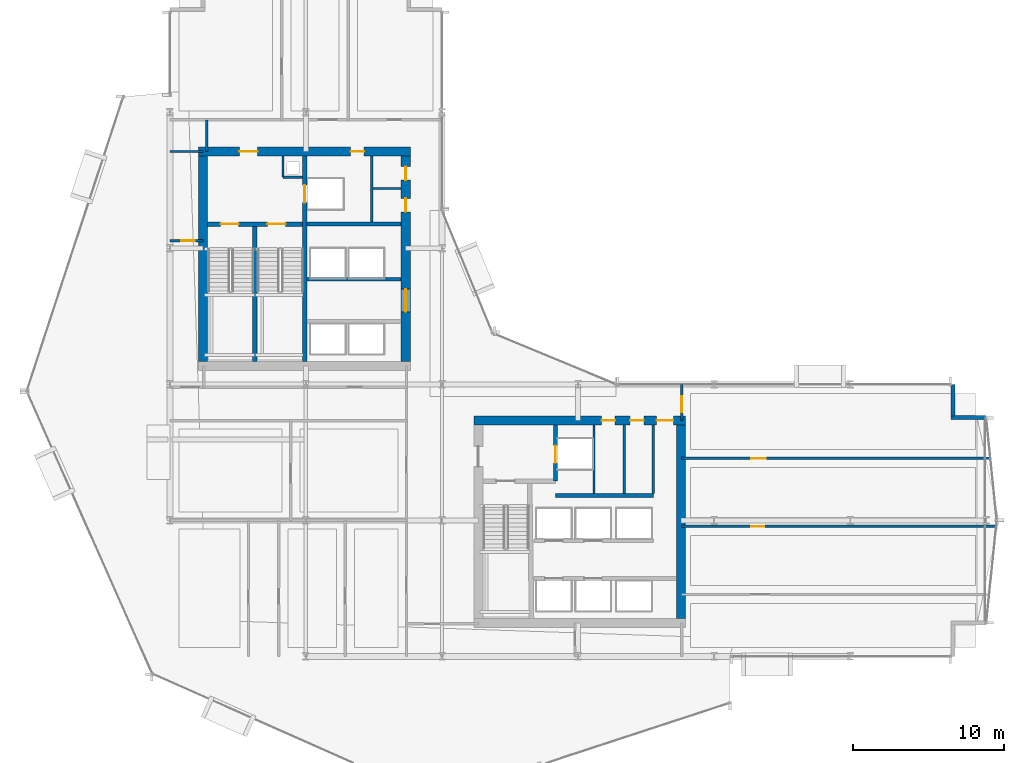
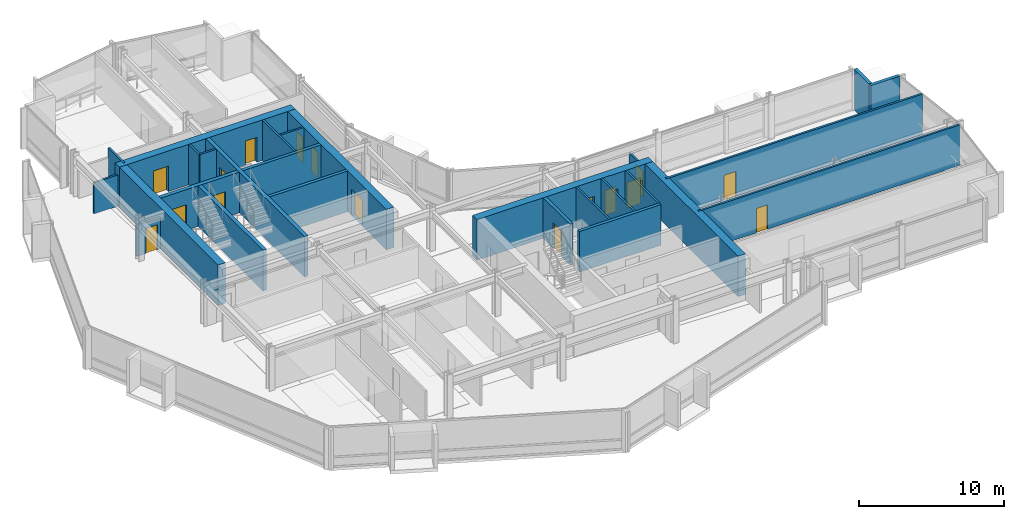
# One storey, part 28 of 34: 27 walls, 16 doors, 16 openings.
"""IFC4 building model written with IfcOpenShell, lengths in metres."""

from ifc_helpers import new_model, si_unit, direction, frame, frame_2d, origin, place, context, subcontext, project, spatial, rectangle, extrude, material, layer, layer_set, type_object, element, fill, save


model = new_model("IFC4")

# Units and contexts
model_context = context("Model", 3, precision=1e-05, world=origin(), true_north=direction((0.0, 1.0)))
body_context = subcontext(model_context, "Body", "Model", "MODEL_VIEW")
ifc_project = project(units=[si_unit("LENGTHUNIT", "METRE"), si_unit("AREAUNIT", "SQUARE_METRE"), si_unit("VOLUMEUNIT", "CUBIC_METRE"), si_unit("PLANEANGLEUNIT", "RADIAN"), si_unit("MASSUNIT", "GRAM", prefix="KILO")], contexts=[model_context])

# Site, building, storey
site_placement = place(None, origin())
site = spatial("IfcSite", under=ifc_project, at=site_placement, CompositionType="ELEMENT")
building_placement = place(site_placement, origin())
building = spatial("IfcBuilding", under=site, at=building_placement, Name="Solvaryn Broadcast Tower", CompositionType="ELEMENT")
storey_placement = place(building_placement, frame((0.0, 0.0, 50.800048828125)))
storey = spatial("IfcBuildingStorey", under=building, at=storey_placement, Name="L11", CompositionType="ELEMENT", Elevation=50.800048828125)

# Wall, openings, doors
ifc_material_1 = material(Name="Concrete f'c 70 MPa", Category="concrete")
ifc_layer_1 = layer(ifc_material_1, 0.60009765625)
ifc_layer_set_1 = layer_set([ifc_layer_1], Name="CW-SHEAR-600")
wall_type_1 = type_object("IfcWallType", Name="CW-SHEAR-600", PredefinedType="SHEAR", material=ifc_layer_set_1)
wall_1_placement = place(storey_placement, frame((24.89990234375, 42.39990234375, 0.0), z_axis=(0.0, 0.0, 1.0), x_axis=(-1.0, 0.0, 0.0)))
wall_1 = element("IfcWall", 1, at=wall_1_placement, inside=storey, type_object=wall_type_1, Name="L11 West Core North Shear Wall", PredefinedType="SHEAR", context=body_context, shape_type="SweptSolid", body=[
    extrude(rectangle(XDim=14.0, YDim=0.60009765625, at=frame_2d((7.0, 0.0))), origin(), (0.0, 0.0, 1.0), 3.419921875),
])
opening_1_placement = place(wall_1_placement, frame((10.10009765625, 0.0, 0.0)))
opening_1 = element("IfcOpeningElement", 2, at=opening_1_placement, cuts=wall_1, Name="Opening FD90A", PredefinedType="OPENING", context=body_context, shape_type="SweptSolid", body=[
    extrude(rectangle(XDim=1.199951171875, YDim=2.14990234375, at=frame_2d((0.60009765625, 1.074951171875))), frame((0.0, 0.31005859375, 0.0), z_axis=(0.0, -1.0, 0.0), x_axis=(1.0, 0.0, 0.0)), (0.0, 0.0, 1.0), 0.6201171875),
])
opening_2_placement = place(wall_1_placement, frame((3.050048828125, 0.0, 0.0)))
opening_2 = element("IfcOpeningElement", 3, at=opening_2_placement, cuts=wall_1, Name="Opening FD60C", PredefinedType="OPENING", context=body_context, shape_type="SweptSolid", body=[
    extrude(rectangle(XDim=0.89990234375, YDim=2.10009765625, at=frame_2d((0.449951171875, 1.050048828125))), frame((0.0, 0.31005859375, 0.0), z_axis=(0.0, -1.0, 0.0), x_axis=(1.0, 0.0, 0.0)), (0.0, 0.0, 1.0), 0.6201171875),
])
ifc_material_2 = material(Name="Flush Acoustic Steel and Timber Door Assembly", Category="steel")
door_type_1 = type_object("IfcDoorType", Name="FD60-SERV-900X2100", OperationType="NOTDEFINED", PredefinedType="DOOR", material=ifc_material_2)
door_1_placement = place(opening_2_placement, origin())
door_1 = element("IfcDoor", 4, at=door_1_placement, inside=storey, type_object=door_type_1, Name="L11 West Core Fiber Riser Door", OperationType="SINGLE_SWING_RIGHT", OverallHeight=2.10009765625, OverallWidth=0.89990234375, PredefinedType="DOOR", context=body_context, shape_type="SweptSolid", body=[
    extrude(rectangle(XDim=0.89990234375, YDim=2.10009765625, at=frame_2d((0.449951171875, 1.050048828125))), frame((0.0, 0.02490234375, 0.0), z_axis=(0.0, -1.0, 0.0), x_axis=(1.0, 0.0, 0.0)), (0.0, 0.0, 1.0), 0.050048828125),
])
fill(opening_2, door_1)
ifc_material_3 = material(Name="Flush Acoustic Steel and Timber Door Assembly", Category="steel")
door_type_2 = type_object("IfcDoorType", Name="FD90-STAIR-1200X2150", OperationType="NOTDEFINED", PredefinedType="DOOR", material=ifc_material_3)
door_2_placement = place(opening_1_placement, origin())
door_2 = element("IfcDoor", 5, at=door_2_placement, inside=storey, type_object=door_type_2, Name="L11 West FSAE Lobby Corridor Door", OperationType="SINGLE_SWING_LEFT", OverallHeight=2.14990234375, OverallWidth=1.199951171875, PredefinedType="DOOR", context=body_context, shape_type="SweptSolid", body=[
    extrude(rectangle(XDim=1.199951171875, YDim=2.14990234375, at=frame_2d((0.60009765625, 1.074951171875))), frame((0.0, 0.02490234375, 0.0), z_axis=(0.0, -1.0, 0.0), x_axis=(1.0, 0.0, 0.0)), (0.0, 0.0, 1.0), 0.050048828125),
])
fill(opening_1, door_2)

# Wall
wall_2_placement = place(storey_placement, frame((11.199951171875, 42.10009765625, 0.0), z_axis=(0.0, 0.0, 1.0), x_axis=(0.0, -1.0, 0.0)))
element("IfcWall", 6, at=wall_2_placement, inside=storey, type_object=wall_type_1, Name="L11 West Core West Shear Wall", PredefinedType="SHEAR", context=body_context, shape_type="SweptSolid", body=[
    extrude(rectangle(XDim=13.60009765625, YDim=0.60009765625, at=frame_2d((6.800048828125, 0.0))), origin(), (0.0, 0.0, 1.0), 3.419921875),
])

# Wall, openings, doors
wall_3_placement = place(storey_placement, frame((24.60009765625, 28.5, 0.0), z_axis=(0.0, 0.0, 1.0), x_axis=(0.0, 1.0, 0.0)))
wall_3 = element("IfcWall", 7, at=wall_3_placement, inside=storey, type_object=wall_type_1, Name="L11 West Core East Shear Wall", PredefinedType="SHEAR", context=body_context, shape_type="SweptSolid", body=[
    extrude(rectangle(XDim=13.60009765625, YDim=0.60009765625, at=frame_2d((6.800048828125, 0.0))), origin(), (0.0, 0.0, 1.0), 3.419921875),
])
opening_3_placement = place(wall_3_placement, frame((3.300048828125, 0.0, 0.0)))
opening_3 = element("IfcOpeningElement", 8, at=opening_3_placement, cuts=wall_3, Name="Opening FD60A", PredefinedType="OPENING", context=body_context, shape_type="SweptSolid", body=[
    extrude(rectangle(XDim=1.5, YDim=2.199951171875, at=frame_2d((0.75, 1.10009765625))), frame((0.0, 0.31005859375, 0.0), z_axis=(0.0, -1.0, 0.0), x_axis=(1.0, 0.0, 0.0)), (0.0, 0.0, 1.0), 0.6201171875),
])
opening_4_placement = place(wall_3_placement, frame((9.89990234375, 0.0, 0.0)))
opening_4 = element("IfcOpeningElement", 9, at=opening_4_placement, cuts=wall_3, Name="Opening FD60C", PredefinedType="OPENING", context=body_context, shape_type="SweptSolid", body=[
    extrude(rectangle(XDim=0.89990234375, YDim=2.10009765625, at=frame_2d((0.449951171875, 1.050048828125))), frame((0.0, 0.31005859375, 0.0), z_axis=(0.0, -1.0, 0.0), x_axis=(1.0, 0.0, 0.0)), (0.0, 0.0, 1.0), 0.6201171875),
])
opening_5_placement = place(wall_3_placement, frame((12.0, 0.0, 0.0)))
opening_5 = element("IfcOpeningElement", 10, at=opening_5_placement, cuts=wall_3, Name="Opening FD60C", PredefinedType="OPENING", context=body_context, shape_type="SweptSolid", body=[
    extrude(rectangle(XDim=0.89990234375, YDim=2.10009765625, at=frame_2d((0.449951171875, 1.050048828125))), frame((0.0, 0.31005859375, 0.0), z_axis=(0.0, -1.0, 0.0), x_axis=(1.0, 0.0, 0.0)), (0.0, 0.0, 1.0), 0.6201171875),
])
ifc_material_4 = material(Name="Flush Acoustic Steel and Timber Door Assembly", Category="steel")
door_type_3 = type_object("IfcDoorType", Name="FD60-CORR-1500X2200", OperationType="NOTDEFINED", PredefinedType="DOOR", material=ifc_material_4)
door_3_placement = place(opening_3_placement, origin())
door_3 = element("IfcDoor", 11, at=door_3_placement, inside=storey, type_object=door_type_3, Name="L11 West Elevator Lobby Corridor Door", OperationType="DOUBLE_DOOR_SINGLE_SWING", OverallHeight=2.199951171875, OverallWidth=1.5, PredefinedType="DOOR", context=body_context, shape_type="SweptSolid", body=[
    extrude(rectangle(XDim=1.5, YDim=2.199951171875, at=frame_2d((0.75, 1.10009765625))), frame((0.0, 0.02490234375, 0.0), z_axis=(0.0, -1.0, 0.0), x_axis=(1.0, 0.0, 0.0)), (0.0, 0.0, 1.0), 0.050048828125),
])
fill(opening_3, door_3)
door_4_placement = place(opening_4_placement, origin())
door_4 = element("IfcDoor", 12, at=door_4_placement, inside=storey, type_object=door_type_1, Name="L11 West Core Service Door 1", OperationType="SINGLE_SWING_LEFT", OverallHeight=2.10009765625, OverallWidth=0.89990234375, PredefinedType="DOOR", context=body_context, shape_type="SweptSolid", body=[
    extrude(rectangle(XDim=0.89990234375, YDim=2.10009765625, at=frame_2d((0.449951171875, 1.050048828125))), frame((0.0, 0.02490234375, 0.0), z_axis=(0.0, -1.0, 0.0), x_axis=(1.0, 0.0, 0.0)), (0.0, 0.0, 1.0), 0.050048828125),
])
fill(opening_4, door_4)
door_5_placement = place(opening_5_placement, origin())
door_5 = element("IfcDoor", 13, at=door_5_placement, inside=storey, type_object=door_type_1, Name="L11 West Core Janitor Door", OperationType="SINGLE_SWING_RIGHT", OverallHeight=2.10009765625, OverallWidth=0.89990234375, PredefinedType="DOOR", context=body_context, shape_type="SweptSolid", body=[
    extrude(rectangle(XDim=0.89990234375, YDim=2.10009765625, at=frame_2d((0.449951171875, 1.050048828125))), frame((0.0, 0.02490234375, 0.0), z_axis=(0.0, -1.0, 0.0), x_axis=(1.0, 0.0, 0.0)), (0.0, 0.0, 1.0), 0.050048828125),
])
fill(opening_5, door_5)

wall_4_placement = place(storey_placement, frame((43.10009765625, 24.60009765625, 0.0), z_axis=(0.0, 0.0, 1.0), x_axis=(-1.0, 0.0, 0.0)))
wall_4 = element("IfcWall", 14, at=wall_4_placement, inside=storey, type_object=wall_type_1, Name="L11 East Core North Shear Wall", PredefinedType="SHEAR", context=body_context, shape_type="SweptSolid", body=[
    extrude(rectangle(XDim=14.0, YDim=0.60009765625, at=frame_2d((7.0, 0.0))), origin(), (0.0, 0.0, 1.0), 3.419921875),
])
opening_6_placement = place(wall_4_placement, frame((0.800048828125, 0.0, 0.0)))
opening_6 = element("IfcOpeningElement", 15, at=opening_6_placement, cuts=wall_4, Name="Opening FD90C", PredefinedType="OPENING", context=body_context, shape_type="SweptSolid", body=[
    extrude(rectangle(XDim=1.10009765625, YDim=2.14990234375, at=frame_2d((0.550048828125, 1.074951171875))), frame((0.0, 0.31005859375, 0.0), z_axis=(0.0, -1.0, 0.0), x_axis=(1.0, 0.0, 0.0)), (0.0, 0.0, 1.0), 0.6201171875),
])
opening_7_placement = place(wall_4_placement, frame((2.75, 0.0, 0.0)))
opening_7 = element("IfcOpeningElement", 16, at=opening_7_placement, cuts=wall_4, Name="Opening FD60C", PredefinedType="OPENING", context=body_context, shape_type="SweptSolid", body=[
    extrude(rectangle(XDim=0.89990234375, YDim=2.10009765625, at=frame_2d((0.449951171875, 1.050048828125))), frame((0.0, 0.31005859375, 0.0), z_axis=(0.0, -1.0, 0.0), x_axis=(1.0, 0.0, 0.0)), (0.0, 0.0, 1.0), 0.6201171875),
])
opening_8_placement = place(wall_4_placement, frame((4.64990234375, 0.0, 0.0)))
opening_8 = element("IfcOpeningElement", 17, at=opening_8_placement, cuts=wall_4, Name="Opening FD60C", PredefinedType="OPENING", context=body_context, shape_type="SweptSolid", body=[
    extrude(rectangle(XDim=0.89990234375, YDim=2.10009765625, at=frame_2d((0.449951171875, 1.050048828125))), frame((0.0, 0.31005859375, 0.0), z_axis=(0.0, -1.0, 0.0), x_axis=(1.0, 0.0, 0.0)), (0.0, 0.0, 1.0), 0.6201171875),
])
door_6_placement = place(opening_7_placement, origin())
door_6 = element("IfcDoor", 18, at=door_6_placement, inside=storey, type_object=door_type_1, Name="L11 Staff Restroom Door", OperationType="SINGLE_SWING_LEFT", OverallHeight=2.10009765625, OverallWidth=0.89990234375, PredefinedType="DOOR", context=body_context, shape_type="SweptSolid", body=[
    extrude(rectangle(XDim=0.89990234375, YDim=2.10009765625, at=frame_2d((0.449951171875, 1.050048828125))), frame((0.0, 0.02490234375, 0.0), z_axis=(0.0, -1.0, 0.0), x_axis=(1.0, 0.0, 0.0)), (0.0, 0.0, 1.0), 0.050048828125),
])
fill(opening_7, door_6)
door_7_placement = place(opening_8_placement, origin())
door_7 = element("IfcDoor", 19, at=door_7_placement, inside=storey, type_object=door_type_1, Name="L11 Accessible WC Door", OperationType="SINGLE_SWING_RIGHT", OverallHeight=2.10009765625, OverallWidth=0.89990234375, PredefinedType="DOOR", context=body_context, shape_type="SweptSolid", body=[
    extrude(rectangle(XDim=0.89990234375, YDim=2.10009765625, at=frame_2d((0.449951171875, 1.050048828125))), frame((0.0, 0.02490234375, 0.0), z_axis=(0.0, -1.0, 0.0), x_axis=(1.0, 0.0, 0.0)), (0.0, 0.0, 1.0), 0.050048828125),
])
fill(opening_8, door_7)
ifc_material_5 = material(Name="Flush Acoustic Steel and Timber Door Assembly", Category="steel")
door_type_4 = type_object("IfcDoorType", Name="FD90-PLANT-1100X2150", OperationType="NOTDEFINED", PredefinedType="DOOR", material=ifc_material_5)
door_8_placement = place(opening_6_placement, origin())
door_8 = element("IfcDoor", 20, at=door_8_placement, inside=storey, type_object=door_type_4, Name="L11 East Core Lobby Corridor Door", OperationType="SINGLE_SWING_LEFT", OverallHeight=2.14990234375, OverallWidth=1.10009765625, PredefinedType="DOOR", context=body_context, shape_type="SweptSolid", body=[
    extrude(rectangle(XDim=1.10009765625, YDim=2.14990234375, at=frame_2d((0.550048828125, 1.074951171875))), frame((0.0, 0.02490234375, 0.0), z_axis=(0.0, -1.0, 0.0), x_axis=(1.0, 0.0, 0.0)), (0.0, 0.0, 1.0), 0.050048828125),
])
fill(opening_6, door_8)

# Walls
wall_5_placement = place(storey_placement, frame((42.800048828125, 11.5, 0.0), z_axis=(0.0, 0.0, 1.0), x_axis=(0.0, 1.0, 0.0)))
element("IfcWall", 21, at=wall_5_placement, inside=storey, type_object=wall_type_1, Name="L11 East Core East Shear Wall", PredefinedType="SHEAR", context=body_context, shape_type="SweptSolid", body=[
    extrude(rectangle(XDim=12.800048828125, YDim=0.60009765625, at=frame_2d((6.39990234375, 0.0))), origin(), (0.0, 0.0, 1.0), 3.419921875),
])
ifc_material_6 = material(Name="Concrete f'c 50 MPa", Category="concrete")
ifc_layer_2 = layer(ifc_material_6, 0.260009765625)
ifc_layer_set_2 = layer_set([ifc_layer_2], Name="EW-PIER-260")
wall_type_2 = type_object("IfcWallType", Name="EW-PIER-260", PredefinedType="SOLIDWALL", material=ifc_layer_set_2)
wall_6_placement = place(storey_placement, frame((63.0, 24.800048828125, 0.0), z_axis=(0.0, 0.0, 1.0), x_axis=(-1.0, 0.0, 0.0)))
element("IfcWall", 22, at=wall_6_placement, inside=storey, type_object=wall_type_2, Name="L11 Notched Corner Pier Wall NEE1", PredefinedType="SOLIDWALL", context=body_context, shape_type="SweptSolid", body=[
    extrude(rectangle(XDim=2.320068359375, YDim=0.260009765625, at=frame_2d((1.16015625, 0.0))), origin(), (0.0, 0.0, 1.0), 3.419921875),
])
wall_7_placement = place(storey_placement, frame((60.800048828125, 24.919921875, 0.0), z_axis=(0.0, 0.0, 1.0), x_axis=(0.0, 1.0, 0.0)))
element("IfcWall", 23, at=wall_7_placement, inside=storey, type_object=wall_type_2, Name="L11 Notched Corner Pier Wall NEE2", PredefinedType="SOLIDWALL", context=body_context, shape_type="SweptSolid", body=[
    extrude(rectangle(XDim=2.080078125, YDim=0.260009765625, at=frame_2d((1.0400390625, 0.0))), origin(), (0.0, 0.0, 1.0), 3.419921875),
])
ifc_material_7 = material(Name="Metal-Stud Service Core Partition")
ifc_layer_3 = layer(ifc_material_7, 0.14990234375)
ifc_layer_set_3 = layer_set([ifc_layer_3], Name="IW-PART-150")
wall_type_3 = type_object("IfcWallType", Name="IW-PART-150", PredefinedType="PARTITIONING", material=ifc_layer_set_3)
wall_8_placement = place(storey_placement, frame((16.47998046875, 40.699951171875, 0.0), z_axis=(0.0, 0.0, 1.0), x_axis=(1.0, 0.0, 0.0)))
element("IfcWall", 24, at=wall_8_placement, inside=storey, type_object=wall_type_3, Name="L11 West Core Riser Shaft South Wall", PredefinedType="PARTITIONING", context=body_context, shape_type="SweptSolid", body=[
    extrude(rectangle(XDim=1.2900390625, YDim=0.14990234375, at=frame_2d((0.64501953125, 0.0))), origin(), (0.0, 0.0, 1.0), 3.419921875),
])
wall_9_placement = place(storey_placement, frame((16.47998046875, 40.699951171875, 0.0), z_axis=(0.0, 0.0, 1.0), x_axis=(0.0, 1.0, 0.0)))
element("IfcWall", 25, at=wall_9_placement, inside=storey, type_object=wall_type_3, Name="L11 West Core Riser Shaft West Wall", PredefinedType="PARTITIONING", context=body_context, shape_type="SweptSolid", body=[
    extrude(rectangle(XDim=1.400146484375, YDim=0.14990234375, at=frame_2d((0.7001953125, 0.0))), origin(), (0.0, 0.0, 1.0), 3.419921875),
])
wall_10_placement = place(storey_placement, frame((22.35009765625, 37.72998046875, 0.0), z_axis=(0.0, 0.0, 1.0), x_axis=(0.0, 1.0, 0.0)))
element("IfcWall", 26, at=wall_10_placement, inside=storey, type_object=wall_type_3, Name="L11 Interior Partition IW-L11-CWS-V", PredefinedType="PARTITIONING", context=body_context, shape_type="SweptSolid", body=[
    extrude(rectangle(XDim=4.3701171875, YDim=0.14990234375, at=frame_2d((2.18505859375, 0.0))), origin(), (0.0, 0.0, 1.0), 3.419921875),
])
wall_11_placement = place(storey_placement, frame((22.429931640625, 39.949951171875, 0.0), z_axis=(0.0, 0.0, 1.0), x_axis=(1.0, 0.0, 0.0)))
element("IfcWall", 27, at=wall_11_placement, inside=storey, type_object=wall_type_3, Name="L11 Interior Partition IW-L11-CWS-H", PredefinedType="PARTITIONING", context=body_context, shape_type="SweptSolid", body=[
    extrude(rectangle(XDim=1.8701171875, YDim=0.14990234375, at=frame_2d((0.93505859375, 0.0))), origin(), (0.0, 0.0, 1.0), 3.419921875),
])
for number, where, z_axis, x_axis, name in (
    (28, (37.050048828125, 19.780029296875, 0.0), (0.0, 0.0, 1.0), (0.0, 1.0, 0.0), "L11 Interior Partition IW-L11-CE-FL2E"),
    (29, (39.050048828125, 19.780029296875, 0.0), (0.0, 0.0, 1.0), (0.0, 1.0, 0.0), "L11 Interior Partition IW-L11-CE-V1"),
    (30, (40.97998046875, 19.780029296875, 0.0), (0.0, 0.0, 1.0), (0.0, 1.0, 0.0), "L11 Interior Partition IW-L11-CE-V3"),
):
    element("IfcWall", number, at=place(storey_placement, frame(where, z_axis=z_axis, x_axis=x_axis)), inside=storey, type_object=wall_type_3, Name=name, PredefinedType="PARTITIONING", context=body_context, shape_type="SweptSolid", body=[
        extrude(rectangle(XDim=4.52001953125, YDim=0.14990234375, at=frame_2d((2.260009765625, 0.0))), origin(), (0.0, 0.0, 1.0), 3.419921875),
    ])

# Wall, opening, door
wall_12_placement = place(storey_placement, frame((9.0, 36.5, 0.0), z_axis=(0.0, 0.0, 1.0), x_axis=(1.0, 0.0, 0.0)))
wall_12 = element("IfcWall", 31, at=wall_12_placement, inside=storey, type_object=wall_type_3, Name="L11 Interior Partition IW-L11-WM-M", PredefinedType="PARTITIONING", context=body_context, shape_type="SweptSolid", body=[
    extrude(rectangle(XDim=2.199951171875, YDim=0.14990234375, at=frame_2d((1.10009765625, 0.0))), origin(), (0.0, 0.0, 1.0), 2.626953125),
])
opening_9_placement = place(wall_12_placement, frame((0.75, 0.0, 0.0)))
opening_9 = element("IfcOpeningElement", 32, at=opening_9_placement, cuts=wall_12, Name="Opening FD60C", PredefinedType="OPENING", context=body_context, shape_type="SweptSolid", body=[
    extrude(rectangle(XDim=0.89990234375, YDim=2.10009765625, at=frame_2d((0.449951171875, 1.050048828125))), frame((0.0, 0.0849609375, 0.0), z_axis=(0.0, -1.0, 0.0), x_axis=(1.0, 0.0, 0.0)), (0.0, 0.0, 1.0), 0.169921875),
])
door_9_placement = place(opening_9_placement, origin())
door_9 = element("IfcDoor", 33, at=door_9_placement, inside=storey, type_object=door_type_1, Name="L11 Door DR-L11-WM1", OperationType="SINGLE_SWING_RIGHT", OverallHeight=2.10009765625, OverallWidth=0.89990234375, PredefinedType="DOOR", context=body_context, shape_type="SweptSolid", body=[
    extrude(rectangle(XDim=0.89990234375, YDim=2.10009765625, at=frame_2d((0.449951171875, 1.050048828125))), frame((0.0, 0.02490234375, 0.0), z_axis=(0.0, -1.0, 0.0), x_axis=(1.0, 0.0, 0.0)), (0.0, 0.0, 1.0), 0.050048828125),
])
fill(opening_9, door_9)

# Walls
ifc_material_8 = material(Name="Metal-Stud Gypsum Office Partition")
ifc_layer_4 = layer(ifc_material_8, 0.159912109375)
ifc_layer_set_4 = layer_set([ifc_layer_4], Name="IW-PART-160")
wall_type_4 = type_object("IfcWallType", Name="IW-PART-160", PredefinedType="PARTITIONING", material=ifc_layer_set_4)
wall_13_placement = place(storey_placement, frame((9.0, 42.39990234375, 0.0), z_axis=(0.0, 0.0, 1.0), x_axis=(1.0, 0.0, 0.0)))
element("IfcWall", 34, at=wall_13_placement, inside=storey, type_object=wall_type_4, Name="L11 Interior Partition IW-L11-WM-N", PredefinedType="PARTITIONING", context=body_context, shape_type="SweptSolid", body=[
    extrude(rectangle(XDim=2.199951171875, YDim=0.159912109375, at=frame_2d((1.10009765625, 0.0))), origin(), (0.0, 0.0, 1.0), 2.626953125),
])
wall_14_placement = place(storey_placement, frame((11.449951171875, 42.39990234375, 0.0), z_axis=(0.0, 0.0, 1.0), x_axis=(0.0, 1.0, 0.0)))
element("IfcWall", 35, at=wall_14_placement, inside=storey, type_object=wall_type_4, Name="L11 Interior Partition IW-L11-WM-E", PredefinedType="PARTITIONING", context=body_context, shape_type="SweptSolid", body=[
    extrude(rectangle(XDim=2.10009765625, YDim=0.159912109375, at=frame_2d((1.050048828125, 0.0))), origin(), (0.0, 0.0, 1.0), 3.419921875),
])

# Wall, opening, door
wall_15_placement = place(storey_placement, frame((42.85009765625, 24.60009765625, 0.0), z_axis=(0.0, 0.0, 1.0), x_axis=(0.0, 1.0, 0.0)))
wall_15 = element("IfcWall", 36, at=wall_15_placement, inside=storey, type_object=wall_type_4, Name="L11 Interior Partition IW-L11-EW-BN", PredefinedType="PARTITIONING", context=body_context, shape_type="SweptSolid", body=[
    extrude(rectangle(XDim=2.39990234375, YDim=0.159912109375, at=frame_2d((1.199951171875, 0.0))), origin(), (0.0, 0.0, 1.0), 2.626953125),
])
opening_10_placement = place(wall_15_placement, frame((0.550048828125, 0.0, 0.0)))
opening_10 = element("IfcOpeningElement", 37, at=opening_10_placement, cuts=wall_15, Name="Opening ID03", PredefinedType="OPENING", context=body_context, shape_type="SweptSolid", body=[
    extrude(rectangle(XDim=1.050048828125, YDim=2.14990234375, at=frame_2d((0.52490234375, 1.074951171875))), frame((0.0, 0.090087890625, 0.0), z_axis=(0.0, -1.0, 0.0), x_axis=(1.0, 0.0, 0.0)), (0.0, 0.0, 1.0), 0.179931640625),
])
ifc_material_9 = material(Name="Flush Acoustic Steel and Timber Door Assembly", Category="steel")
door_type_5 = type_object("IfcDoorType", Name="ID-03-1050X2150", OperationType="NOTDEFINED", PredefinedType="DOOR", material=ifc_material_9)
door_10_placement = place(opening_10_placement, origin())
door_10 = element("IfcDoor", 38, at=door_10_placement, inside=storey, type_object=door_type_5, Name="L11 Door DR-L11-EW0", OperationType="SINGLE_SWING_LEFT", OverallHeight=2.14990234375, OverallWidth=1.050048828125, PredefinedType="DOOR", context=body_context, shape_type="SweptSolid", body=[
    extrude(rectangle(XDim=1.050048828125, YDim=2.14990234375, at=frame_2d((0.52490234375, 1.074951171875))), frame((0.0, 0.02490234375, 0.0), z_axis=(0.0, -1.0, 0.0), x_axis=(1.0, 0.0, 0.0)), (0.0, 0.0, 1.0), 0.050048828125),
])
fill(opening_10, door_10)

wall_16_placement = place(storey_placement, frame((42.85009765625, 17.60009765625, 0.0), z_axis=(0.0, 0.0, 1.0), x_axis=(1.0, 0.0, 0.0)))
wall_16 = element("IfcWall", 39, at=wall_16_placement, inside=storey, type_object=wall_type_4, Name="L11 Interior Partition IW-L11-EW-H2", PredefinedType="PARTITIONING", context=body_context, shape_type="SweptSolid", body=[
    extrude(rectangle(XDim=20.808837890625, YDim=0.159912109375, at=frame_2d((10.404296875, 0.0))), origin(), (0.0, 0.0, 1.0), 3.419921875),
])
opening_11_placement = place(wall_16_placement, frame((4.60009765625, 0.0, 0.0)))
opening_11 = element("IfcOpeningElement", 40, at=opening_11_placement, cuts=wall_16, Name="Opening ID07", PredefinedType="OPENING", context=body_context, shape_type="SweptSolid", body=[
    extrude(rectangle(XDim=0.860107421875, YDim=2.050048828125, at=frame_2d((0.43017578125, 1.02490234375))), frame((0.0, 0.090087890625, 0.0), z_axis=(0.0, -1.0, 0.0), x_axis=(1.0, 0.0, 0.0)), (0.0, 0.0, 1.0), 0.179931640625),
])
ifc_material_10 = material(Name="Flush Acoustic Steel and Timber Door Assembly", Category="steel")
door_type_6 = type_object("IfcDoorType", Name="ID-07-860X2050", OperationType="NOTDEFINED", PredefinedType="DOOR", material=ifc_material_10)
door_11_placement = place(opening_11_placement, origin())
door_11 = element("IfcDoor", 41, at=door_11_placement, inside=storey, type_object=door_type_6, Name="L11 Door DR-L11-EW-2", OperationType="SINGLE_SWING_LEFT", OverallHeight=2.050048828125, OverallWidth=0.860107421875, PredefinedType="DOOR", context=body_context, shape_type="SweptSolid", body=[
    extrude(rectangle(XDim=0.860107421875, YDim=2.050048828125, at=frame_2d((0.43017578125, 1.02490234375))), frame((0.0, 0.02490234375, 0.0), z_axis=(0.0, -1.0, 0.0), x_axis=(1.0, 0.0, 0.0)), (0.0, 0.0, 1.0), 0.050048828125),
])
fill(opening_11, door_11)

wall_17_placement = place(storey_placement, frame((42.85009765625, 22.10009765625, 0.0), z_axis=(0.0, 0.0, 1.0), x_axis=(1.0, 0.0, 0.0)))
wall_17 = element("IfcWall", 42, at=wall_17_placement, inside=storey, type_object=wall_type_4, Name="L11 Interior Partition IW-L11-EW-H3", PredefinedType="PARTITIONING", context=body_context, shape_type="SweptSolid", body=[
    extrude(rectangle(XDim=20.427978515625, YDim=0.159912109375, at=frame_2d((10.2138671875, 0.0))), origin(), (0.0, 0.0, 1.0), 3.419921875),
])
opening_12_placement = place(wall_17_placement, frame((4.60009765625, 0.0, 0.0)))
opening_12 = element("IfcOpeningElement", 43, at=opening_12_placement, cuts=wall_17, Name="Opening ID01", PredefinedType="OPENING", context=body_context, shape_type="SweptSolid", body=[
    extrude(rectangle(XDim=0.949951171875, YDim=2.10009765625, at=frame_2d((0.47509765625, 1.050048828125))), frame((0.0, 0.090087890625, 0.0), z_axis=(0.0, -1.0, 0.0), x_axis=(1.0, 0.0, 0.0)), (0.0, 0.0, 1.0), 0.179931640625),
])
ifc_material_11 = material(Name="Flush Acoustic Steel and Timber Door Assembly", Category="steel")
door_type_7 = type_object("IfcDoorType", Name="ID-01-950X2100", OperationType="NOTDEFINED", PredefinedType="DOOR", material=ifc_material_11)
door_12_placement = place(opening_12_placement, origin())
door_12 = element("IfcDoor", 44, at=door_12_placement, inside=storey, type_object=door_type_7, Name="L11 Door DR-L11-EW-3", OperationType="SINGLE_SWING_RIGHT", OverallHeight=2.10009765625, OverallWidth=0.949951171875, PredefinedType="DOOR", context=body_context, shape_type="SweptSolid", body=[
    extrude(rectangle(XDim=0.949951171875, YDim=2.10009765625, at=frame_2d((0.47509765625, 1.050048828125))), frame((0.0, 0.02490234375, 0.0), z_axis=(0.0, -1.0, 0.0), x_axis=(1.0, 0.0, 0.0)), (0.0, 0.0, 1.0), 0.050048828125),
])
fill(opening_12, door_12)

# Walls
ifc_material_12 = material(Name="Concrete f'c 60 MPa", Category="concrete")
ifc_layer_5 = layer(ifc_material_12, 0.25)
ifc_layer_set_5 = layer_set([ifc_layer_5], Name="SW-SHAFT-250")
wall_type_5 = type_object("IfcWallType", Name="SW-SHAFT-250", PredefinedType="PARTITIONING", material=ifc_layer_set_5)
for number, where, z_axis, x_axis, name in (
    (45, (18.070068359375, 37.60009765625, 0.0), (0.0, 0.0, 1.0), (1.0, 0.0, 0.0), "L11 West Core FSAE Hoistway Front Wall"),
    (46, (24.300048828125, 33.949951171875, 0.0), (0.0, 0.0, 1.0), (-1.0, 0.0, 0.0), "L11 High-Rise Lift Bank North Wall"),
):
    element("IfcWall", number, at=place(storey_placement, frame(where, z_axis=z_axis, x_axis=x_axis)), inside=storey, type_object=wall_type_5, Name=name, PredefinedType="PARTITIONING", context=body_context, shape_type="SweptSolid", body=[
        extrude(rectangle(XDim=6.22998046875, YDim=0.25, at=frame_2d((3.114990234375, 0.0))), origin(), (0.0, 0.0, 1.0), 3.419921875),
    ])

# Wall, opening, door
wall_18_placement = place(storey_placement, frame((34.5, 20.60009765625, 0.0), z_axis=(0.0, 0.0, 1.0), x_axis=(0.0, 1.0, 0.0)))
wall_18 = element("IfcWall", 47, at=wall_18_placement, inside=storey, type_object=wall_type_5, Name="L11 East FSAE Lobby East Wall", PredefinedType="PARTITIONING", context=body_context, shape_type="SweptSolid", body=[
    extrude(rectangle(XDim=3.699951171875, YDim=0.25, at=frame_2d((1.85009765625, 0.0))), origin(), (0.0, 0.0, 1.0), 3.419921875),
])
opening_13_placement = place(wall_18_placement, frame((1.199951171875, 0.0, 0.0)))
opening_13 = element("IfcOpeningElement", 48, at=opening_13_placement, cuts=wall_18, Name="Opening LD01", PredefinedType="OPENING", context=body_context, shape_type="SweptSolid", body=[
    extrude(rectangle(XDim=1.14990234375, YDim=2.14990234375, at=frame_2d((0.574951171875, 1.074951171875))), frame((0.0, 0.135009765625, 0.0), z_axis=(0.0, -1.0, 0.0), x_axis=(1.0, 0.0, 0.0)), (0.0, 0.0, 1.0), 0.27001953125),
])
ifc_material_13 = material(Name="Flush Acoustic Steel and Timber Door Assembly", Category="steel")
door_type_8 = type_object("IfcDoorType", Name="LD-LIFT-1150X2150", OperationType="NOTDEFINED", PredefinedType="DOOR", material=ifc_material_13)
door_13_placement = place(opening_13_placement, origin())
door_13 = element("IfcDoor", 49, at=door_13_placement, inside=storey, type_object=door_type_8, Name="L11 FL2 Lift Landing Door", OperationType="DOUBLE_DOOR_SLIDING", OverallHeight=2.14990234375, OverallWidth=1.14990234375, PredefinedType="DOOR", context=body_context, shape_type="SweptSolid", body=[
    extrude(rectangle(XDim=1.14990234375, YDim=2.14990234375, at=frame_2d((0.574951171875, 1.074951171875))), frame((0.0, 0.02490234375, 0.0), z_axis=(0.0, -1.0, 0.0), x_axis=(1.0, 0.0, 0.0)), (0.0, 0.0, 1.0), 0.050048828125),
])
fill(opening_13, door_13)

# Walls
wall_19_placement = place(storey_placement, frame((34.5, 19.64990234375, 0.0), z_axis=(0.0, 0.0, 1.0), x_axis=(1.0, 0.0, 0.0)))
element("IfcWall", 50, at=wall_19_placement, inside=storey, type_object=wall_type_5, Name="L11 East Core Restroom South Wall", PredefinedType="PARTITIONING", context=body_context, shape_type="SweptSolid", body=[
    extrude(rectangle(XDim=6.47998046875, YDim=0.25, at=frame_2d((3.239990234375, 0.0))), origin(), (0.0, 0.0, 1.0), 3.419921875),
])
ifc_material_14 = material(Name="Concrete f'c 70 MPa", Category="concrete")
ifc_layer_6 = layer(ifc_material_14, 0.300048828125)
ifc_layer_set_6 = layer_set([ifc_layer_6], Name="SW-SHAFT-300")
wall_type_6 = type_object("IfcWallType", Name="SW-SHAFT-300", PredefinedType="SHEAR", material=ifc_layer_set_6)
wall_20_placement = place(storey_placement, frame((14.6201171875, 28.5, 0.0), z_axis=(0.0, 0.0, 1.0), x_axis=(0.0, 1.0, 0.0)))
element("IfcWall", 51, at=wall_20_placement, inside=storey, type_object=wall_type_6, Name="L11 Stair 1-2 Dividing Wall", PredefinedType="SHEAR", context=body_context, shape_type="SweptSolid", body=[
    extrude(rectangle(XDim=8.949951171875, YDim=0.300048828125, at=frame_2d((4.47509765625, 0.0))), origin(), (0.0, 0.0, 1.0), 3.419921875),
])

# Wall, opening, door
wall_21_placement = place(storey_placement, frame((17.919921875, 42.10009765625, 0.0), z_axis=(0.0, 0.0, 1.0), x_axis=(0.0, -1.0, 0.0)))
wall_21 = element("IfcWall", 52, at=wall_21_placement, inside=storey, type_object=wall_type_6, Name="L11 West Core Stair-Lobby Shear Wall", PredefinedType="SHEAR", context=body_context, shape_type="SweptSolid", body=[
    extrude(rectangle(XDim=13.60009765625, YDim=0.300048828125, at=frame_2d((6.800048828125, 0.0))), origin(), (0.0, 0.0, 1.0), 3.419921875),
])
opening_14_placement = place(wall_21_placement, frame((1.925048828125, 0.0, 0.0)))
opening_14 = element("IfcOpeningElement", 53, at=opening_14_placement, cuts=wall_21, Name="Opening LD01", PredefinedType="OPENING", context=body_context, shape_type="SweptSolid", body=[
    extrude(rectangle(XDim=1.14990234375, YDim=2.14990234375, at=frame_2d((0.574951171875, 1.074951171875))), frame((0.0, 0.159912109375, 0.0), z_axis=(0.0, -1.0, 0.0), x_axis=(1.0, 0.0, 0.0)), (0.0, 0.0, 1.0), 0.320068359375),
])
door_14_placement = place(opening_14_placement, origin())
door_14 = element("IfcDoor", 54, at=door_14_placement, inside=storey, type_object=door_type_8, Name="L11 FL1 Lift Landing Door", OperationType="DOUBLE_DOOR_SLIDING", OverallHeight=2.14990234375, OverallWidth=1.14990234375, PredefinedType="DOOR", context=body_context, shape_type="SweptSolid", body=[
    extrude(rectangle(XDim=1.14990234375, YDim=2.14990234375, at=frame_2d((0.574951171875, 1.074951171875))), frame((0.0, 0.02490234375, 0.0), z_axis=(0.0, -1.0, 0.0), x_axis=(1.0, 0.0, 0.0)), (0.0, 0.0, 1.0), 0.050048828125),
])
fill(opening_14, door_14)

# Wall, openings, doors
wall_22_placement = place(storey_placement, frame((17.77001953125, 37.60009765625, 0.0), z_axis=(0.0, 0.0, 1.0), x_axis=(-1.0, 0.0, 0.0)))
wall_22 = element("IfcWall", 55, at=wall_22_placement, inside=storey, type_object=wall_type_6, Name="L11 West Core FSAE Lobby South Wall", PredefinedType="SHEAR", context=body_context, shape_type="SweptSolid", body=[
    extrude(rectangle(XDim=6.27001953125, YDim=0.300048828125, at=frame_2d((3.135009765625, 0.0))), origin(), (0.0, 0.0, 1.0), 3.419921875),
])
opening_15_placement = place(wall_22_placement, frame((4.219970703125, 0.0, 0.0)))
opening_15 = element("IfcOpeningElement", 56, at=opening_15_placement, cuts=wall_22, Name="Opening FD90A", PredefinedType="OPENING", context=body_context, shape_type="SweptSolid", body=[
    extrude(rectangle(XDim=1.199951171875, YDim=2.14990234375, at=frame_2d((0.60009765625, 1.074951171875))), frame((0.0, 0.159912109375, 0.0), z_axis=(0.0, -1.0, 0.0), x_axis=(1.0, 0.0, 0.0)), (0.0, 0.0, 1.0), 0.320068359375),
])
opening_16_placement = place(wall_22_placement, frame((1.1201171875, 0.0, 0.0)))
opening_16 = element("IfcOpeningElement", 57, at=opening_16_placement, cuts=wall_22, Name="Opening FD90A", PredefinedType="OPENING", context=body_context, shape_type="SweptSolid", body=[
    extrude(rectangle(XDim=1.199951171875, YDim=2.14990234375, at=frame_2d((0.60009765625, 1.074951171875))), frame((0.0, 0.159912109375, 0.0), z_axis=(0.0, -1.0, 0.0), x_axis=(1.0, 0.0, 0.0)), (0.0, 0.0, 1.0), 0.320068359375),
])
door_15_placement = place(opening_15_placement, origin())
door_15 = element("IfcDoor", 58, at=door_15_placement, inside=storey, type_object=door_type_2, Name="L11 Stair 1 Fire Door", OperationType="SINGLE_SWING_LEFT", OverallHeight=2.14990234375, OverallWidth=1.199951171875, PredefinedType="DOOR", context=body_context, shape_type="SweptSolid", body=[
    extrude(rectangle(XDim=1.199951171875, YDim=2.14990234375, at=frame_2d((0.60009765625, 1.074951171875))), frame((0.0, 0.02490234375, 0.0), z_axis=(0.0, -1.0, 0.0), x_axis=(1.0, 0.0, 0.0)), (0.0, 0.0, 1.0), 0.050048828125),
])
fill(opening_15, door_15)
door_16_placement = place(opening_16_placement, origin())
door_16 = element("IfcDoor", 59, at=door_16_placement, inside=storey, type_object=door_type_2, Name="L11 Stair 2 Fire Door", OperationType="SINGLE_SWING_RIGHT", OverallHeight=2.14990234375, OverallWidth=1.199951171875, PredefinedType="DOOR", context=body_context, shape_type="SweptSolid", body=[
    extrude(rectangle(XDim=1.199951171875, YDim=2.14990234375, at=frame_2d((0.60009765625, 1.074951171875))), frame((0.0, 0.02490234375, 0.0), z_axis=(0.0, -1.0, 0.0), x_axis=(1.0, 0.0, 0.0)), (0.0, 0.0, 1.0), 0.050048828125),
])
fill(opening_16, door_16)

save(model, "model.ifc")
